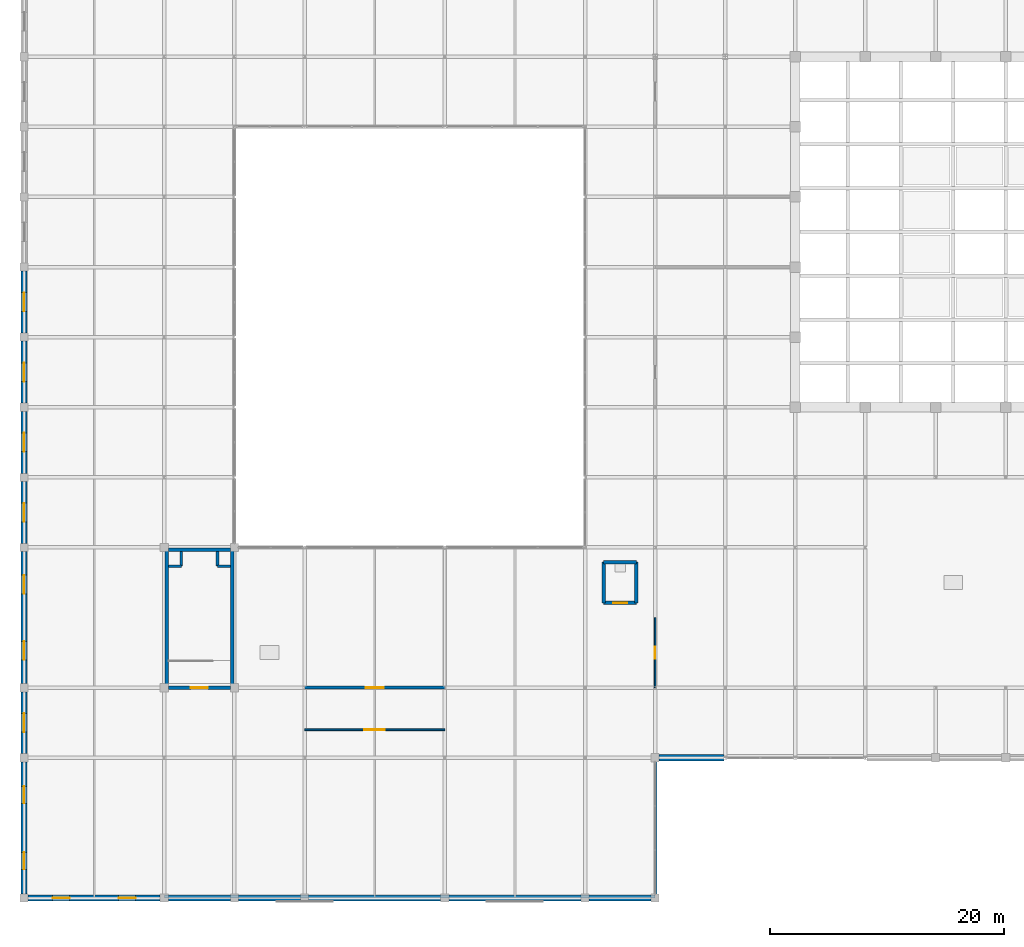
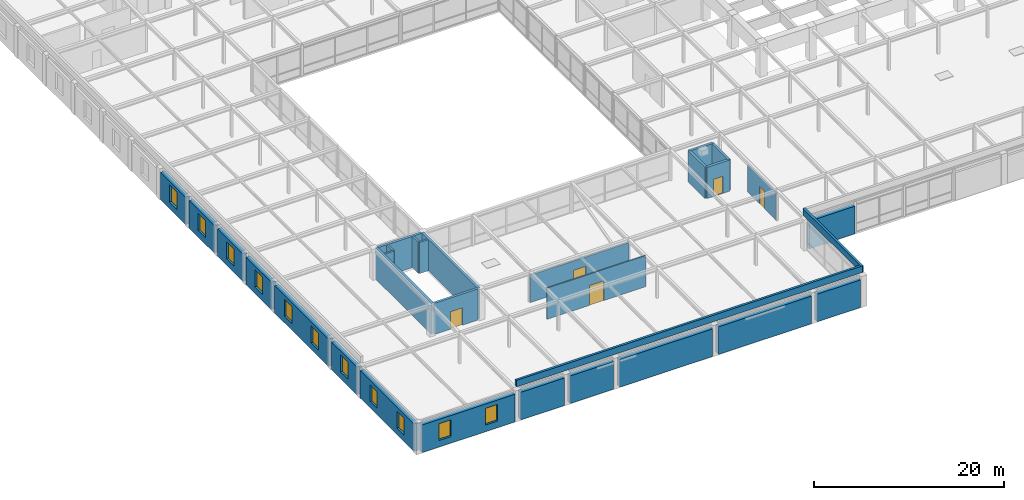
# One storey, part 100 of 111: 31 walls, 11 windows, 5 doors, 16 openings.
"""IFC4 building model written with IfcOpenShell, lengths in metres."""

from ifc_helpers import new_model, si_unit, direction, frame, frame_2d, origin, place, context, subcontext, project, spatial, rectangle, extrude, material, layer, layer_set, type_object, element, fill, save


model = new_model("IFC4")

# Units and contexts
model_context = context("Model", 3, precision=1e-05, world=origin(), true_north=direction((0.0, 1.0)))
body_context = subcontext(model_context, "Body", "Model", "MODEL_VIEW")
ifc_project = project(units=[si_unit("LENGTHUNIT", "METRE"), si_unit("AREAUNIT", "SQUARE_METRE"), si_unit("VOLUMEUNIT", "CUBIC_METRE"), si_unit("PLANEANGLEUNIT", "RADIAN"), si_unit("MASSUNIT", "GRAM", prefix="KILO")], contexts=[model_context])

# Site, building, storey
site_placement = place(None, origin())
site = spatial("IfcSite", under=ifc_project, at=site_placement, CompositionType="ELEMENT")
building_placement = place(site_placement, origin())
building = spatial("IfcBuilding", under=site, at=building_placement, Name="Zlatovratsky Civic Hall", CompositionType="ELEMENT")
storey_placement = place(building_placement, frame((0.0, 0.0, 16.5)))
storey = spatial("IfcBuildingStorey", under=building, at=storey_placement, Name="L04", CompositionType="ELEMENT", Elevation=16.5)

# Wall, opening, door
ifc_material_1 = material(Name="Acoustic ceramic blockwork", Category="masonry")
ifc_layer_1 = layer(ifc_material_1, 0.260009765625)
ifc_layer_set_1 = layer_set([ifc_layer_1], Name="Acoustic ceramic blockwork")
wall_type_1 = type_object("IfcWallType", Name="Wall_ArchiveCompartment_260", PredefinedType="PARTITIONING", material=ifc_layer_set_1)
wall_1_placement = place(storey_placement, frame((24.0, 18.0, 0.0), z_axis=(0.0, 0.0, 1.0), x_axis=(1.0, 0.0, 0.0)))
wall_1 = element("IfcWall", 1, at=wall_1_placement, inside=storey, type_object=wall_type_1, Name="WL-6226", PredefinedType="PARTITIONING", context=body_context, shape_type="SweptSolid", body=[
    extrude(rectangle(XDim=12.0, YDim=0.260009765625, at=frame_2d((6.0, 0.0))), origin(), (0.0, 0.0, 1.0), 3.512939453125),
])
opening_1_placement = place(wall_1_placement, frame((5.22509765625, 0.0, 0.0)))
opening_1 = element("IfcOpeningElement", 2, at=opening_1_placement, cuts=wall_1, Name="Opening D-15", PredefinedType="OPENING", context=body_context, shape_type="SweptSolid", body=[
    extrude(rectangle(XDim=1.550048828125, YDim=2.300048828125, at=frame_2d((0.77490234375, 1.14990234375))), frame((0.0, 0.14501953125, 0.0), z_axis=(0.0, -1.0, 0.0), x_axis=(1.0, 0.0, 0.0)), (0.0, 0.0, 1.0), 0.289794921875),
])
ifc_material_2 = material(Name="Insulated painted fire-rated steel leaf", Category="steel")
door_type_1 = type_object("IfcDoorType", Name="Door_CompactArchiveFire_1550x2300", OperationType="DOUBLE_DOOR_SINGLE_SWING", PredefinedType="DOOR", material=ifc_material_2)
door_1_placement = place(opening_1_placement, origin())
door_1 = element("IfcDoor", 3, at=door_1_placement, inside=storey, type_object=door_type_1, Name="DR-5327", OperationType="DOUBLE_DOOR_SINGLE_SWING", OverallHeight=2.300048828125, OverallWidth=1.550048828125, PredefinedType="DOOR", context=body_context, shape_type="SweptSolid", body=[
    extrude(rectangle(XDim=1.550048828125, YDim=2.300048828125, at=frame_2d((0.77490234375, 1.14990234375))), frame((0.0, 0.02490234375, 0.0), z_axis=(0.0, -1.0, 0.0), x_axis=(1.0, 0.0, 0.0)), (0.0, 0.0, 1.0), 0.050048828125),
])
fill(opening_1, door_1)

ifc_material_3 = material(Name="Fire-rated gypsum board framing", Category="gypsum")
ifc_layer_2 = layer(ifc_material_3, 0.139892578125)
ifc_layer_set_2 = layer_set([ifc_layer_2], Name="Fire-rated gypsum board framing")
wall_type_2 = type_object("IfcWallType", Name="Wall_OfficePartition_140", PredefinedType="PARTITIONING", material=ifc_layer_set_2)
wall_2_placement = place(storey_placement, frame((24.0, 14.39990234375, 0.0), z_axis=(0.0, 0.0, 1.0), x_axis=(1.0, 0.0, 0.0)))
wall_2 = element("IfcWall", 4, at=wall_2_placement, inside=storey, type_object=wall_type_2, Name="WL-6219", PredefinedType="PARTITIONING", context=body_context, shape_type="SweptSolid", body=[
    extrude(rectangle(XDim=12.0, YDim=0.139892578125, at=frame_2d((6.0, 0.0))), origin(), (0.0, 0.0, 1.0), 4.0),
])
opening_2_placement = place(wall_2_placement, frame((5.125, 0.0, 0.0)))
opening_2 = element("IfcOpeningElement", 5, at=opening_2_placement, cuts=wall_2, Name="Opening D-13", PredefinedType="OPENING", context=body_context, shape_type="SweptSolid", body=[
    extrude(rectangle(XDim=1.75, YDim=2.550048828125, at=frame_2d((0.875, 1.27490234375))), frame((0.0, 0.0849609375, 0.0), z_axis=(0.0, -1.0, 0.0), x_axis=(1.0, 0.0, 0.0)), (0.0, 0.0, 1.0), 0.169677734375),
])
ifc_material_4 = material(Name="Solid oak joinery in steel frame", Category="steel")
door_type_2 = type_object("IfcDoorType", Name="Door_CommitteeSuiteDouble_1750x2550", OperationType="DOUBLE_DOOR_SINGLE_SWING", PredefinedType="DOOR", material=ifc_material_4)
door_2_placement = place(opening_2_placement, origin())
door_2 = element("IfcDoor", 6, at=door_2_placement, inside=storey, type_object=door_type_2, Name="DR-5320", OperationType="DOUBLE_DOOR_SINGLE_SWING", OverallHeight=2.550048828125, OverallWidth=1.75, PredefinedType="DOOR", context=body_context, shape_type="SweptSolid", body=[
    extrude(rectangle(XDim=1.75, YDim=2.550048828125, at=frame_2d((0.875, 1.27490234375))), frame((0.0, 0.02490234375, 0.0), z_axis=(0.0, -1.0, 0.0), x_axis=(1.0, 0.0, 0.0)), (0.0, 0.0, 1.0), 0.050048828125),
])
fill(opening_2, door_2)

wall_3_placement = place(storey_placement, frame((54.0, 18.0, 0.0), z_axis=(0.0, 0.0, 1.0), x_axis=(0.0, 1.0, 0.0)))
wall_3 = element("IfcWall", 7, at=wall_3_placement, inside=storey, type_object=wall_type_2, Name="WL-6221", PredefinedType="PARTITIONING", context=body_context, shape_type="SweptSolid", body=[
    extrude(rectangle(XDim=6.0, YDim=0.139892578125, at=frame_2d((3.0, 0.0))), origin(), (0.0, 0.0, 1.0), 3.512939453125),
])
opening_3_placement = place(wall_3_placement, frame((2.47509765625, 0.0, 0.0)))
opening_3 = element("IfcOpeningElement", 8, at=opening_3_placement, cuts=wall_3, Name="Opening D-24", PredefinedType="OPENING", context=body_context, shape_type="SweptSolid", body=[
    extrude(rectangle(XDim=1.050048828125, YDim=2.25, at=frame_2d((0.52490234375, 1.125))), frame((0.0, 0.0849609375, 0.0), z_axis=(0.0, -1.0, 0.0), x_axis=(1.0, 0.0, 0.0)), (0.0, 0.0, 1.0), 0.169677734375),
])
door_type_3 = type_object("IfcDoorType", Name="Door_DirectorateOffice_1050x2250", OperationType="NOTDEFINED", PredefinedType="DOOR", material=ifc_material_4)
door_3_placement = place(opening_3_placement, origin())
door_3 = element("IfcDoor", 9, at=door_3_placement, inside=storey, type_object=door_type_3, Name="DR-5322", OperationType="SINGLE_SWING_LEFT", OverallHeight=2.25, OverallWidth=1.050048828125, PredefinedType="DOOR", context=body_context, shape_type="SweptSolid", body=[
    extrude(rectangle(XDim=1.050048828125, YDim=2.25, at=frame_2d((0.52490234375, 1.125))), frame((0.0, 0.02490234375, 0.0), z_axis=(0.0, -1.0, 0.0), x_axis=(1.0, 0.0, 0.0)), (0.0, 0.0, 1.0), 0.050048828125),
])
fill(opening_3, door_3)

# Wall, openings, windows
ifc_layer_3 = layer(ifc_material_1, 0.39990234375, Name="Backing")
ifc_material_5 = material(Name="Polished Karelian granite ashlar", Category="masonry")
ifc_layer_4 = layer(ifc_material_5, 0.139892578125, Name="Finish")
ifc_layer_set_3 = layer_set([ifc_layer_3, ifc_layer_4], Name="Acoustic ceramic blockwork")
wall_type_3 = type_object("IfcWallType", Name="Wall_PodiumGraniteArcade_540", PredefinedType="SOLIDWALL", material=ifc_layer_set_3)
wall_4_placement = place(storey_placement, frame((0.35009765625, 0.0, 0.0), z_axis=(0.0, 0.0, 1.0), x_axis=(1.0, 0.0, 0.0)))
wall_4 = element("IfcWall", 10, at=wall_4_placement, inside=storey, type_object=wall_type_3, Name="WL-0315", PredefinedType="SOLIDWALL", context=body_context, shape_type="SweptSolid", body=[
    extrude(rectangle(XDim=11.2998046875, YDim=0.5400390625, at=frame_2d((5.64990234375, 0.0))), origin(), (0.0, 0.0, 1.0), 3.550048828125),
])
opening_4_placement = place(wall_4_placement, frame((2.10009765625, 0.0, 0.85009765625)))
opening_4 = element("IfcOpeningElement", 11, at=opening_4_placement, cuts=wall_4, Name="Opening WN-28", PredefinedType="OPENING", context=body_context, shape_type="SweptSolid", body=[
    extrude(rectangle(XDim=1.449951171875, YDim=2.14990234375, at=frame_2d((0.72509765625, 1.074951171875))), frame((0.0, 0.284912109375, 0.0), z_axis=(0.0, -1.0, 0.0), x_axis=(1.0, 0.0, 0.0)), (0.0, 0.0, 1.0), 0.56982421875),
])
opening_5_placement = place(wall_4_placement, frame((7.75, 0.0, 0.85009765625)))
opening_5 = element("IfcOpeningElement", 12, at=opening_5_placement, cuts=wall_4, Name="Opening WN-28", PredefinedType="OPENING", context=body_context, shape_type="SweptSolid", body=[
    extrude(rectangle(XDim=1.449951171875, YDim=2.14990234375, at=frame_2d((0.72509765625, 1.074951171875))), frame((0.0, 0.284912109375, 0.0), z_axis=(0.0, -1.0, 0.0), x_axis=(1.0, 0.0, 0.0)), (0.0, 0.0, 1.0), 0.56982421875),
])
ifc_material_6 = material(Name="Low-E laminated double glazing", Category="glass")
window_type_1 = type_object("IfcWindowType", Name="Window_CornerBastionUpper_1450x2150", PartitioningType="SINGLE_PANEL", PredefinedType="WINDOW", material=ifc_material_6)
window_1_placement = place(opening_4_placement, origin())
window_1 = element("IfcWindow", 13, at=window_1_placement, inside=storey, type_object=window_type_1, Name="WN-0253", OverallHeight=2.14990234375, OverallWidth=1.449951171875, PartitioningType="SINGLE_PANEL", PredefinedType="WINDOW", context=body_context, shape_type="SweptSolid", body=[
    extrude(rectangle(XDim=1.449951171875, YDim=2.14990234375, at=frame_2d((0.72509765625, 1.074951171875))), frame((0.0, 0.030029296875, 0.0), z_axis=(0.0, -1.0, 0.0), x_axis=(1.0, 0.0, 0.0)), (0.0, 0.0, 1.0), 0.06005859375),
])
fill(opening_4, window_1)
window_2_placement = place(opening_5_placement, origin())
window_2 = element("IfcWindow", 14, at=window_2_placement, inside=storey, type_object=window_type_1, Name="WN-0254", OverallHeight=2.14990234375, OverallWidth=1.449951171875, PartitioningType="SINGLE_PANEL", PredefinedType="WINDOW", context=body_context, shape_type="SweptSolid", body=[
    extrude(rectangle(XDim=1.449951171875, YDim=2.14990234375, at=frame_2d((0.72509765625, 1.074951171875))), frame((0.0, 0.030029296875, 0.0), z_axis=(0.0, -1.0, 0.0), x_axis=(1.0, 0.0, 0.0)), (0.0, 0.0, 1.0), 0.06005859375),
])
fill(opening_5, window_2)

# Walls
for number, where, z_axis, x_axis, name in (
    (15, (12.35009765625, 0.0, 0.0), (0.0, 0.0, 1.0), (1.0, 0.0, 0.0), "WL-0316"),
    (16, (18.35009765625, 0.0, 0.0), (0.0, 0.0, 1.0), (1.0, 0.0, 0.0), "WL-0317"),
):
    element("IfcWall", number, at=place(storey_placement, frame(where, z_axis=z_axis, x_axis=x_axis)), inside=storey, type_object=wall_type_3, Name=name, PredefinedType="SOLIDWALL", context=body_context, shape_type="SweptSolid", body=[
        extrude(rectangle(XDim=5.2998046875, YDim=0.5400390625, at=frame_2d((2.64990234375, 0.0))), origin(), (0.0, 0.0, 1.0), 3.550048828125),
    ])
for number, where, z_axis, x_axis, name in (
    (17, (24.35009765625, 0.0, 0.0), (0.0, 0.0, 1.0), (1.0, 0.0, 0.0), "WL-0318"),
    (18, (36.35009765625, 0.0, 0.0), (0.0, 0.0, 1.0), (1.0, 0.0, 0.0), "WL-0319"),
):
    element("IfcWall", number, at=place(storey_placement, frame(where, z_axis=z_axis, x_axis=x_axis)), inside=storey, type_object=wall_type_3, Name=name, PredefinedType="SOLIDWALL", context=body_context, shape_type="SweptSolid", body=[
        extrude(rectangle(XDim=11.2998046875, YDim=0.5400390625, at=frame_2d((5.64990234375, 0.0))), origin(), (0.0, 0.0, 1.0), 3.550048828125),
    ])
wall_5_placement = place(storey_placement, frame((48.35009765625, 0.0, 0.0), z_axis=(0.0, 0.0, 1.0), x_axis=(1.0, 0.0, 0.0)))
element("IfcWall", 19, at=wall_5_placement, inside=storey, type_object=wall_type_3, Name="WL-0320", PredefinedType="SOLIDWALL", context=body_context, shape_type="SweptSolid", body=[
    extrude(rectangle(XDim=5.2998046875, YDim=0.5400390625, at=frame_2d((2.64990234375, 0.0))), origin(), (0.0, 0.0, 1.0), 3.550048828125),
])
wall_6_placement = place(storey_placement, frame((54.35009765625, 12.0, 0.0), z_axis=(0.0, 0.0, 1.0), x_axis=(1.0, 0.0, 0.0)))
element("IfcWall", 20, at=wall_6_placement, inside=storey, type_object=wall_type_3, Name="WL-0327", PredefinedType="SOLIDWALL", context=body_context, shape_type="SweptSolid", body=[
    extrude(rectangle(XDim=5.52490234375, YDim=0.5400390625, at=frame_2d((2.762451171875, 0.0))), origin(), (0.0, 0.0, 1.0), 3.550048828125),
])

# Wall, openings, windows
wall_7_placement = place(storey_placement, frame((0.0, 0.35009765625, 0.0), z_axis=(0.0, 0.0, 1.0), x_axis=(0.0, 1.0, 0.0)))
wall_7 = element("IfcWall", 21, at=wall_7_placement, inside=storey, type_object=wall_type_3, Name="WL-0355", PredefinedType="SOLIDWALL", context=body_context, shape_type="SweptSolid", body=[
    extrude(rectangle(XDim=11.2998046875, YDim=0.5400390625, at=frame_2d((5.64990234375, 0.0))), origin(), (0.0, 0.0, 1.0), 3.550048828125),
])
opening_6_placement = place(wall_7_placement, frame((2.10009765625, 0.0, 0.85009765625)))
opening_6 = element("IfcOpeningElement", 22, at=opening_6_placement, cuts=wall_7, Name="Opening WN-28", PredefinedType="OPENING", context=body_context, shape_type="SweptSolid", body=[
    extrude(rectangle(XDim=1.449951171875, YDim=2.14990234375, at=frame_2d((0.72509765625, 1.074951171875))), frame((0.0, 0.284912109375, 0.0), z_axis=(0.0, -1.0, 0.0), x_axis=(1.0, 0.0, 0.0)), (0.0, 0.0, 1.0), 0.56982421875),
])
opening_7_placement = place(wall_7_placement, frame((7.75, 0.0, 0.85009765625)))
opening_7 = element("IfcOpeningElement", 23, at=opening_7_placement, cuts=wall_7, Name="Opening WN-28", PredefinedType="OPENING", context=body_context, shape_type="SweptSolid", body=[
    extrude(rectangle(XDim=1.449951171875, YDim=2.14990234375, at=frame_2d((0.72509765625, 1.074951171875))), frame((0.0, 0.284912109375, 0.0), z_axis=(0.0, -1.0, 0.0), x_axis=(1.0, 0.0, 0.0)), (0.0, 0.0, 1.0), 0.56982421875),
])
window_3_placement = place(opening_6_placement, origin())
window_3 = element("IfcWindow", 24, at=window_3_placement, inside=storey, type_object=window_type_1, Name="WN-0283", OverallHeight=2.14990234375, OverallWidth=1.449951171875, PartitioningType="SINGLE_PANEL", PredefinedType="WINDOW", context=body_context, shape_type="SweptSolid", body=[
    extrude(rectangle(XDim=1.449951171875, YDim=2.14990234375, at=frame_2d((0.72509765625, 1.074951171875))), frame((0.0, 0.030029296875, 0.0), z_axis=(0.0, -1.0, 0.0), x_axis=(1.0, 0.0, 0.0)), (0.0, 0.0, 1.0), 0.06005859375),
])
fill(opening_6, window_3)
window_4_placement = place(opening_7_placement, origin())
window_4 = element("IfcWindow", 25, at=window_4_placement, inside=storey, type_object=window_type_1, Name="WN-0284", OverallHeight=2.14990234375, OverallWidth=1.449951171875, PartitioningType="SINGLE_PANEL", PredefinedType="WINDOW", context=body_context, shape_type="SweptSolid", body=[
    extrude(rectangle(XDim=1.449951171875, YDim=2.14990234375, at=frame_2d((0.72509765625, 1.074951171875))), frame((0.0, 0.030029296875, 0.0), z_axis=(0.0, -1.0, 0.0), x_axis=(1.0, 0.0, 0.0)), (0.0, 0.0, 1.0), 0.06005859375),
])
fill(opening_7, window_4)

# Wall, opening, window
wall_8_placement = place(storey_placement, frame((0.0, 12.35009765625, 0.0), z_axis=(0.0, 0.0, 1.0), x_axis=(0.0, 1.0, 0.0)))
wall_8 = element("IfcWall", 26, at=wall_8_placement, inside=storey, type_object=wall_type_3, Name="WL-0356", PredefinedType="SOLIDWALL", context=body_context, shape_type="SweptSolid", body=[
    extrude(rectangle(XDim=5.2998046875, YDim=0.5400390625, at=frame_2d((2.64990234375, 0.0))), origin(), (0.0, 0.0, 1.0), 3.550048828125),
])
opening_8_placement = place(wall_8_placement, frame((1.85009765625, 0.0, 0.85009765625)))
opening_8 = element("IfcOpeningElement", 27, at=opening_8_placement, cuts=wall_8, Name="Opening WN-12", PredefinedType="OPENING", context=body_context, shape_type="SweptSolid", body=[
    extrude(rectangle(XDim=1.60009765625, YDim=2.199951171875, at=frame_2d((0.800048828125, 1.10009765625))), frame((0.0, 0.284912109375, 0.0), z_axis=(0.0, -1.0, 0.0), x_axis=(1.0, 0.0, 0.0)), (0.0, 0.0, 1.0), 0.56982421875),
])
window_type_2 = type_object("IfcWindowType", Name="Window_CourtWingL04_1600x2200", PartitioningType="SINGLE_PANEL", PredefinedType="WINDOW", material=ifc_material_6)
window_5_placement = place(opening_8_placement, origin())
window_5 = element("IfcWindow", 28, at=window_5_placement, inside=storey, type_object=window_type_2, Name="WN-0285", OverallHeight=2.199951171875, OverallWidth=1.60009765625, PartitioningType="SINGLE_PANEL", PredefinedType="WINDOW", context=body_context, shape_type="SweptSolid", body=[
    extrude(rectangle(XDim=1.60009765625, YDim=2.199951171875, at=frame_2d((0.800048828125, 1.10009765625))), frame((0.0, 0.030029296875, 0.0), z_axis=(0.0, -1.0, 0.0), x_axis=(1.0, 0.0, 0.0)), (0.0, 0.0, 1.0), 0.06005859375),
])
fill(opening_8, window_5)

# Wall, openings, windows
wall_9_placement = place(storey_placement, frame((0.0, 18.35009765625, 0.0), z_axis=(0.0, 0.0, 1.0), x_axis=(0.0, 1.0, 0.0)))
wall_9 = element("IfcWall", 29, at=wall_9_placement, inside=storey, type_object=wall_type_3, Name="WL-0357", PredefinedType="SOLIDWALL", context=body_context, shape_type="SweptSolid", body=[
    extrude(rectangle(XDim=11.2998046875, YDim=0.5400390625, at=frame_2d((5.64990234375, 0.0))), origin(), (0.0, 0.0, 1.0), 3.550048828125),
])
opening_9_placement = place(wall_9_placement, frame((2.02490234375, 0.0, 0.85009765625)))
opening_9 = element("IfcOpeningElement", 30, at=opening_9_placement, cuts=wall_9, Name="Opening WN-12", PredefinedType="OPENING", context=body_context, shape_type="SweptSolid", body=[
    extrude(rectangle(XDim=1.60009765625, YDim=2.199951171875, at=frame_2d((0.800048828125, 1.10009765625))), frame((0.0, 0.284912109375, 0.0), z_axis=(0.0, -1.0, 0.0), x_axis=(1.0, 0.0, 0.0)), (0.0, 0.0, 1.0), 0.56982421875),
])
opening_10_placement = place(wall_9_placement, frame((7.675048828125, 0.0, 0.85009765625)))
opening_10 = element("IfcOpeningElement", 31, at=opening_10_placement, cuts=wall_9, Name="Opening WN-12", PredefinedType="OPENING", context=body_context, shape_type="SweptSolid", body=[
    extrude(rectangle(XDim=1.60009765625, YDim=2.199951171875, at=frame_2d((0.800048828125, 1.10009765625))), frame((0.0, 0.284912109375, 0.0), z_axis=(0.0, -1.0, 0.0), x_axis=(1.0, 0.0, 0.0)), (0.0, 0.0, 1.0), 0.56982421875),
])
window_6_placement = place(opening_9_placement, origin())
window_6 = element("IfcWindow", 32, at=window_6_placement, inside=storey, type_object=window_type_2, Name="WN-0286", OverallHeight=2.199951171875, OverallWidth=1.60009765625, PartitioningType="SINGLE_PANEL", PredefinedType="WINDOW", context=body_context, shape_type="SweptSolid", body=[
    extrude(rectangle(XDim=1.60009765625, YDim=2.199951171875, at=frame_2d((0.800048828125, 1.10009765625))), frame((0.0, 0.030029296875, 0.0), z_axis=(0.0, -1.0, 0.0), x_axis=(1.0, 0.0, 0.0)), (0.0, 0.0, 1.0), 0.06005859375),
])
fill(opening_9, window_6)
window_7_placement = place(opening_10_placement, origin())
window_7 = element("IfcWindow", 33, at=window_7_placement, inside=storey, type_object=window_type_2, Name="WN-0287", OverallHeight=2.199951171875, OverallWidth=1.60009765625, PartitioningType="SINGLE_PANEL", PredefinedType="WINDOW", context=body_context, shape_type="SweptSolid", body=[
    extrude(rectangle(XDim=1.60009765625, YDim=2.199951171875, at=frame_2d((0.800048828125, 1.10009765625))), frame((0.0, 0.030029296875, 0.0), z_axis=(0.0, -1.0, 0.0), x_axis=(1.0, 0.0, 0.0)), (0.0, 0.0, 1.0), 0.06005859375),
])
fill(opening_10, window_7)

# Wall, opening, window
wall_10_placement = place(storey_placement, frame((0.0, 30.35009765625, 0.0), z_axis=(0.0, 0.0, 1.0), x_axis=(0.0, 1.0, 0.0)))
wall_10 = element("IfcWall", 34, at=wall_10_placement, inside=storey, type_object=wall_type_3, Name="WL-0358", PredefinedType="SOLIDWALL", context=body_context, shape_type="SweptSolid", body=[
    extrude(rectangle(XDim=5.2998046875, YDim=0.5400390625, at=frame_2d((2.64990234375, 0.0))), origin(), (0.0, 0.0, 1.0), 3.550048828125),
])
opening_11_placement = place(wall_10_placement, frame((1.85009765625, 0.0, 0.85009765625)))
opening_11 = element("IfcOpeningElement", 35, at=opening_11_placement, cuts=wall_10, Name="Opening WN-12", PredefinedType="OPENING", context=body_context, shape_type="SweptSolid", body=[
    extrude(rectangle(XDim=1.60009765625, YDim=2.199951171875, at=frame_2d((0.800048828125, 1.10009765625))), frame((0.0, 0.284912109375, 0.0), z_axis=(0.0, -1.0, 0.0), x_axis=(1.0, 0.0, 0.0)), (0.0, 0.0, 1.0), 0.56982421875),
])
window_8_placement = place(opening_11_placement, origin())
window_8 = element("IfcWindow", 36, at=window_8_placement, inside=storey, type_object=window_type_2, Name="WN-0288", OverallHeight=2.199951171875, OverallWidth=1.60009765625, PartitioningType="SINGLE_PANEL", PredefinedType="WINDOW", context=body_context, shape_type="SweptSolid", body=[
    extrude(rectangle(XDim=1.60009765625, YDim=2.199951171875, at=frame_2d((0.800048828125, 1.10009765625))), frame((0.0, 0.030029296875, 0.0), z_axis=(0.0, -1.0, 0.0), x_axis=(1.0, 0.0, 0.0)), (0.0, 0.0, 1.0), 0.06005859375),
])
fill(opening_11, window_8)

wall_11_placement = place(storey_placement, frame((0.0, 36.35009765625, 0.0), z_axis=(0.0, 0.0, 1.0), x_axis=(0.0, 1.0, 0.0)))
wall_11 = element("IfcWall", 37, at=wall_11_placement, inside=storey, type_object=wall_type_3, Name="WL-0359", PredefinedType="SOLIDWALL", context=body_context, shape_type="SweptSolid", body=[
    extrude(rectangle(XDim=5.2998046875, YDim=0.5400390625, at=frame_2d((2.64990234375, 0.0))), origin(), (0.0, 0.0, 1.0), 3.550048828125),
])
opening_12_placement = place(wall_11_placement, frame((1.85009765625, 0.0, 0.85009765625)))
opening_12 = element("IfcOpeningElement", 38, at=opening_12_placement, cuts=wall_11, Name="Opening WN-12", PredefinedType="OPENING", context=body_context, shape_type="SweptSolid", body=[
    extrude(rectangle(XDim=1.60009765625, YDim=2.199951171875, at=frame_2d((0.800048828125, 1.10009765625))), frame((0.0, 0.284912109375, 0.0), z_axis=(0.0, -1.0, 0.0), x_axis=(1.0, 0.0, 0.0)), (0.0, 0.0, 1.0), 0.56982421875),
])
window_9_placement = place(opening_12_placement, origin())
window_9 = element("IfcWindow", 39, at=window_9_placement, inside=storey, type_object=window_type_2, Name="WN-0289", OverallHeight=2.199951171875, OverallWidth=1.60009765625, PartitioningType="SINGLE_PANEL", PredefinedType="WINDOW", context=body_context, shape_type="SweptSolid", body=[
    extrude(rectangle(XDim=1.60009765625, YDim=2.199951171875, at=frame_2d((0.800048828125, 1.10009765625))), frame((0.0, 0.030029296875, 0.0), z_axis=(0.0, -1.0, 0.0), x_axis=(1.0, 0.0, 0.0)), (0.0, 0.0, 1.0), 0.06005859375),
])
fill(opening_12, window_9)

wall_12_placement = place(storey_placement, frame((0.0, 42.35009765625, 0.0), z_axis=(0.0, 0.0, 1.0), x_axis=(0.0, 1.0, 0.0)))
wall_12 = element("IfcWall", 40, at=wall_12_placement, inside=storey, type_object=wall_type_3, Name="WL-0360", PredefinedType="SOLIDWALL", context=body_context, shape_type="SweptSolid", body=[
    extrude(rectangle(XDim=5.2998046875, YDim=0.5400390625, at=frame_2d((2.64990234375, 0.0))), origin(), (0.0, 0.0, 1.0), 3.550048828125),
])
opening_13_placement = place(wall_12_placement, frame((1.85009765625, 0.0, 0.85009765625)))
opening_13 = element("IfcOpeningElement", 41, at=opening_13_placement, cuts=wall_12, Name="Opening WN-12", PredefinedType="OPENING", context=body_context, shape_type="SweptSolid", body=[
    extrude(rectangle(XDim=1.60009765625, YDim=2.199951171875, at=frame_2d((0.800048828125, 1.10009765625))), frame((0.0, 0.284912109375, 0.0), z_axis=(0.0, -1.0, 0.0), x_axis=(1.0, 0.0, 0.0)), (0.0, 0.0, 1.0), 0.56982421875),
])
window_10_placement = place(opening_13_placement, origin())
window_10 = element("IfcWindow", 42, at=window_10_placement, inside=storey, type_object=window_type_2, Name="WN-0290", OverallHeight=2.199951171875, OverallWidth=1.60009765625, PartitioningType="SINGLE_PANEL", PredefinedType="WINDOW", context=body_context, shape_type="SweptSolid", body=[
    extrude(rectangle(XDim=1.60009765625, YDim=2.199951171875, at=frame_2d((0.800048828125, 1.10009765625))), frame((0.0, 0.030029296875, 0.0), z_axis=(0.0, -1.0, 0.0), x_axis=(1.0, 0.0, 0.0)), (0.0, 0.0, 1.0), 0.06005859375),
])
fill(opening_13, window_10)

wall_13_placement = place(storey_placement, frame((0.0, 48.35009765625, 0.0), z_axis=(0.0, 0.0, 1.0), x_axis=(0.0, 1.0, 0.0)))
wall_13 = element("IfcWall", 43, at=wall_13_placement, inside=storey, type_object=wall_type_3, Name="WL-0361", PredefinedType="SOLIDWALL", context=body_context, shape_type="SweptSolid", body=[
    extrude(rectangle(XDim=5.2998046875, YDim=0.5400390625, at=frame_2d((2.64990234375, 0.0))), origin(), (0.0, 0.0, 1.0), 3.550048828125),
])
opening_14_placement = place(wall_13_placement, frame((1.85009765625, 0.0, 0.85009765625)))
opening_14 = element("IfcOpeningElement", 44, at=opening_14_placement, cuts=wall_13, Name="Opening WN-12", PredefinedType="OPENING", context=body_context, shape_type="SweptSolid", body=[
    extrude(rectangle(XDim=1.60009765625, YDim=2.199951171875, at=frame_2d((0.800048828125, 1.10009765625))), frame((0.0, 0.284912109375, 0.0), z_axis=(0.0, -1.0, 0.0), x_axis=(1.0, 0.0, 0.0)), (0.0, 0.0, 1.0), 0.56982421875),
])
window_11_placement = place(opening_14_placement, origin())
window_11 = element("IfcWindow", 45, at=window_11_placement, inside=storey, type_object=window_type_2, Name="WN-0291", OverallHeight=2.199951171875, OverallWidth=1.60009765625, PartitioningType="SINGLE_PANEL", PredefinedType="WINDOW", context=body_context, shape_type="SweptSolid", body=[
    extrude(rectangle(XDim=1.60009765625, YDim=2.199951171875, at=frame_2d((0.800048828125, 1.10009765625))), frame((0.0, 0.030029296875, 0.0), z_axis=(0.0, -1.0, 0.0), x_axis=(1.0, 0.0, 0.0)), (0.0, 0.0, 1.0), 0.06005859375),
])
fill(opening_14, window_11)

# Walls
ifc_material_7 = material(Name="Podolsk limestone ashlar", Category="masonry")
ifc_layer_5 = layer(ifc_material_7, 0.280029296875)
ifc_layer_set_4 = layer_set([ifc_layer_5], Name="Podolsk limestone ashlar")
wall_type_4 = type_object("IfcWallType", Name="Wall_RoofParapetStone_280", PredefinedType="PARAPET", material=ifc_layer_set_4)
wall_14_placement = place(storey_placement, frame((12.0, 0.139892578125, 4.199951171875), z_axis=(0.0, 0.0, 1.0), x_axis=(1.0, 0.0, 0.0)))
element("IfcWall", 46, at=wall_14_placement, inside=storey, type_object=wall_type_4, Name="WL-0703", PredefinedType="PARAPET", context=body_context, shape_type="SweptSolid", body=[
    extrude(rectangle(XDim=42.0, YDim=0.280029296875, at=frame_2d((21.0, 0.0))), origin(), (0.0, 0.0, 1.0), 0.85009765625),
])
wall_15_placement = place(storey_placement, frame((54.0, 0.0, 4.199951171875), z_axis=(0.0, 0.0, 1.0), x_axis=(0.0, 1.0, 0.0)))
element("IfcWall", 47, at=wall_15_placement, inside=storey, type_object=wall_type_4, Name="WL-0704", PredefinedType="PARAPET", context=body_context, shape_type="SweptSolid", body=[
    extrude(rectangle(XDim=12.280029296875, YDim=0.280029296875, at=frame_2d((6.14013671875, 0.0))), origin(), (0.0, 0.0, 1.0), 0.85009765625),
])
ifc_layer_6 = layer(ifc_material_1, 0.219970703125)
ifc_layer_set_5 = layer_set([ifc_layer_6], Name="Acoustic ceramic blockwork")
wall_type_5 = type_object("IfcWallType", Name="Wall_SanitaryWetCore_220", PredefinedType="PARTITIONING", material=ifc_layer_set_5)
wall_16_placement = place(storey_placement, frame((13.449951171875, 28.39990234375, 0.0), z_axis=(0.0, 0.0, 1.0), x_axis=(0.0, 1.0, 0.0)))
element("IfcWall", 48, at=wall_16_placement, inside=storey, type_object=wall_type_5, Name="WL-5345", PredefinedType="PARTITIONING", context=body_context, shape_type="SweptSolid", body=[
    extrude(rectangle(XDim=1.25, YDim=0.219970703125, at=frame_2d((0.625, 0.0))), origin(), (0.0, 0.0, 1.0), 4.0),
])
wall_17_placement = place(storey_placement, frame((12.35009765625, 28.39990234375, 0.0), z_axis=(0.0, 0.0, 1.0), x_axis=(1.0, 0.0, 0.0)))
element("IfcWall", 49, at=wall_17_placement, inside=storey, type_object=wall_type_5, Name="WL-5346", PredefinedType="PARTITIONING", context=body_context, shape_type="SweptSolid", body=[
    extrude(rectangle(XDim=1.099853515625, YDim=0.219970703125, at=frame_2d((0.5498046875, 0.0))), origin(), (0.0, 0.0, 1.0), 4.0),
])
wall_18_placement = place(storey_placement, frame((16.550048828125, 28.39990234375, 0.0), z_axis=(0.0, 0.0, 1.0), x_axis=(0.0, 1.0, 0.0)))
element("IfcWall", 50, at=wall_18_placement, inside=storey, type_object=wall_type_5, Name="WL-5347", PredefinedType="PARTITIONING", context=body_context, shape_type="SweptSolid", body=[
    extrude(rectangle(XDim=1.25, YDim=0.219970703125, at=frame_2d((0.625, 0.0))), origin(), (0.0, 0.0, 1.0), 4.0),
])
wall_19_placement = place(storey_placement, frame((16.550048828125, 28.39990234375, 0.0), z_axis=(0.0, 0.0, 1.0), x_axis=(1.0, 0.0, 0.0)))
element("IfcWall", 51, at=wall_19_placement, inside=storey, type_object=wall_type_5, Name="WL-5348", PredefinedType="PARTITIONING", context=body_context, shape_type="SweptSolid", body=[
    extrude(rectangle(XDim=1.099853515625, YDim=0.219970703125, at=frame_2d((0.5498046875, 0.0))), origin(), (0.0, 0.0, 1.0), 4.0),
])

# Wall, opening, door
ifc_material_8 = material(Name="Concrete C35/45 (B40)", Category="concrete")
ifc_layer_7 = layer(ifc_material_8, 0.300048828125)
ifc_layer_set_6 = layer_set([ifc_layer_7], Name="Concrete C35/45 (B40)")
wall_type_6 = type_object("IfcWallType", Name="Wall_StairAndLiftShaft_300", PredefinedType="SHEAR", material=ifc_layer_set_6)
wall_20_placement = place(storey_placement, frame((12.35009765625, 18.0, 0.0), z_axis=(0.0, 0.0, 1.0), x_axis=(1.0, 0.0, 0.0)))
wall_20 = element("IfcWall", 52, at=wall_20_placement, inside=storey, type_object=wall_type_6, Name="WL-5341", PredefinedType="SHEAR", context=body_context, shape_type="SweptSolid", body=[
    extrude(rectangle(XDim=5.2998046875, YDim=0.300048828125, at=frame_2d((2.64990234375, 0.0))), origin(), (0.0, 0.0, 1.0), 4.0),
])
opening_15_placement = place(wall_20_placement, frame((1.925048828125, 0.0, 0.0)))
opening_15 = element("IfcOpeningElement", 53, at=opening_15_placement, cuts=wall_20, Name="Opening D-16", PredefinedType="OPENING", context=body_context, shape_type="SweptSolid", body=[
    extrude(rectangle(XDim=1.449951171875, YDim=2.25, at=frame_2d((0.72509765625, 1.125))), frame((0.0, 0.1650390625, 0.0), z_axis=(0.0, -1.0, 0.0), x_axis=(1.0, 0.0, 0.0)), (0.0, 0.0, 1.0), 0.329833984375),
])
door_type_4 = type_object("IfcDoorType", Name="Door_StairwellFirePodium_1450x2250", OperationType="NOTDEFINED", PredefinedType="DOOR", material=ifc_material_2)
door_4_placement = place(opening_15_placement, origin())
door_4 = element("IfcDoor", 54, at=door_4_placement, inside=storey, type_object=door_type_4, Name="DR-5043", OperationType="SINGLE_SWING_LEFT", OverallHeight=2.25, OverallWidth=1.449951171875, PredefinedType="DOOR", context=body_context, shape_type="SweptSolid", body=[
    extrude(rectangle(XDim=1.449951171875, YDim=2.25, at=frame_2d((0.72509765625, 1.125))), frame((0.0, 0.02490234375, 0.0), z_axis=(0.0, -1.0, 0.0), x_axis=(1.0, 0.0, 0.0)), (0.0, 0.0, 1.0), 0.050048828125),
])
fill(opening_15, door_4)

# Walls
wall_21_placement = place(storey_placement, frame((12.35009765625, 29.800048828125, 0.0), z_axis=(0.0, 0.0, 1.0), x_axis=(1.0, 0.0, 0.0)))
element("IfcWall", 55, at=wall_21_placement, inside=storey, type_object=wall_type_6, Name="WL-5342", PredefinedType="SHEAR", context=body_context, shape_type="SweptSolid", body=[
    extrude(rectangle(XDim=5.2998046875, YDim=0.300048828125, at=frame_2d((2.64990234375, 0.0))), origin(), (0.0, 0.0, 1.0), 4.0),
])
for number, where, z_axis, x_axis, name in (
    (56, (12.199951171875, 18.0, 0.0), (0.0, 0.0, 1.0), (0.0, 1.0, 0.0), "WL-5343"),
    (57, (17.800048828125, 18.0, 0.0), (0.0, 0.0, 1.0), (0.0, 1.0, 0.0), "WL-5344"),
):
    element("IfcWall", number, at=place(storey_placement, frame(where, z_axis=z_axis, x_axis=x_axis)), inside=storey, type_object=wall_type_6, Name=name, PredefinedType="SHEAR", context=body_context, shape_type="SweptSolid", body=[
        extrude(rectangle(XDim=11.800048828125, YDim=0.300048828125, at=frame_2d((5.89990234375, 0.0))), origin(), (0.0, 0.0, 1.0), 4.0),
    ])

# Wall, opening, door
wall_22_placement = place(storey_placement, frame((49.60009765625, 25.25, 0.0), z_axis=(0.0, 0.0, 1.0), x_axis=(1.0, 0.0, 0.0)))
wall_22 = element("IfcWall", 58, at=wall_22_placement, inside=storey, type_object=wall_type_6, Name="WL-5985", PredefinedType="SHEAR", context=body_context, shape_type="SweptSolid", body=[
    extrude(rectangle(XDim=2.7998046875, YDim=0.300048828125, at=frame_2d((1.39990234375, 0.0))), origin(), (0.0, 0.0, 1.0), 4.0),
])
opening_16_placement = place(wall_22_placement, frame((0.800048828125, 0.0, 0.0)))
opening_16 = element("IfcOpeningElement", 59, at=opening_16_placement, cuts=wall_22, Name="Opening LD-04", PredefinedType="OPENING", context=body_context, shape_type="SweptSolid", body=[
    extrude(rectangle(XDim=1.199951171875, YDim=2.199951171875, at=frame_2d((0.60009765625, 1.10009765625))), frame((0.0, 0.1650390625, 0.0), z_axis=(0.0, -1.0, 0.0), x_axis=(1.0, 0.0, 0.0)), (0.0, 0.0, 1.0), 0.329833984375),
])
ifc_material_9 = material(Name="Brushed stainless steel AISI 304", Category="steel")
door_type_5 = type_object("IfcDoorType", Name="Door_LiftLandingShuttle_1200x2200", OperationType="DOUBLE_DOOR_SLIDING", PredefinedType="DOOR", material=ifc_material_9)
door_5_placement = place(opening_16_placement, origin())
door_5 = element("IfcDoor", 60, at=door_5_placement, inside=storey, type_object=door_type_5, Name="Lift landing door LD-5199", OperationType="DOUBLE_DOOR_SLIDING", OverallHeight=2.199951171875, OverallWidth=1.199951171875, PredefinedType="DOOR", context=body_context, shape_type="SweptSolid", body=[
    extrude(rectangle(XDim=1.199951171875, YDim=2.199951171875, at=frame_2d((0.60009765625, 1.10009765625))), frame((0.0, 0.02490234375, 0.0), z_axis=(0.0, -1.0, 0.0), x_axis=(1.0, 0.0, 0.0)), (0.0, 0.0, 1.0), 0.050048828125),
])
fill(opening_16, door_5)

# Walls
wall_23_placement = place(storey_placement, frame((49.60009765625, 28.75, 0.0), z_axis=(0.0, 0.0, 1.0), x_axis=(1.0, 0.0, 0.0)))
element("IfcWall", 61, at=wall_23_placement, inside=storey, type_object=wall_type_6, Name="WL-5986", PredefinedType="SHEAR", context=body_context, shape_type="SweptSolid", body=[
    extrude(rectangle(XDim=2.7998046875, YDim=0.300048828125, at=frame_2d((1.39990234375, 0.0))), origin(), (0.0, 0.0, 1.0), 4.0),
])
for number, where, z_axis, x_axis, name in (
    (62, (49.60009765625, 25.25, 0.0), (0.0, 0.0, 1.0), (0.0, 1.0, 0.0), "WL-5987"),
    (63, (52.39990234375, 25.25, 0.0), (0.0, 0.0, 1.0), (0.0, 1.0, 0.0), "WL-5988"),
):
    element("IfcWall", number, at=place(storey_placement, frame(where, z_axis=z_axis, x_axis=x_axis)), inside=storey, type_object=wall_type_6, Name=name, PredefinedType="SHEAR", context=body_context, shape_type="SweptSolid", body=[
        extrude(rectangle(XDim=3.5, YDim=0.300048828125, at=frame_2d((1.75, 0.0))), origin(), (0.0, 0.0, 1.0), 4.0),
    ])

save(model, "model.ifc")
